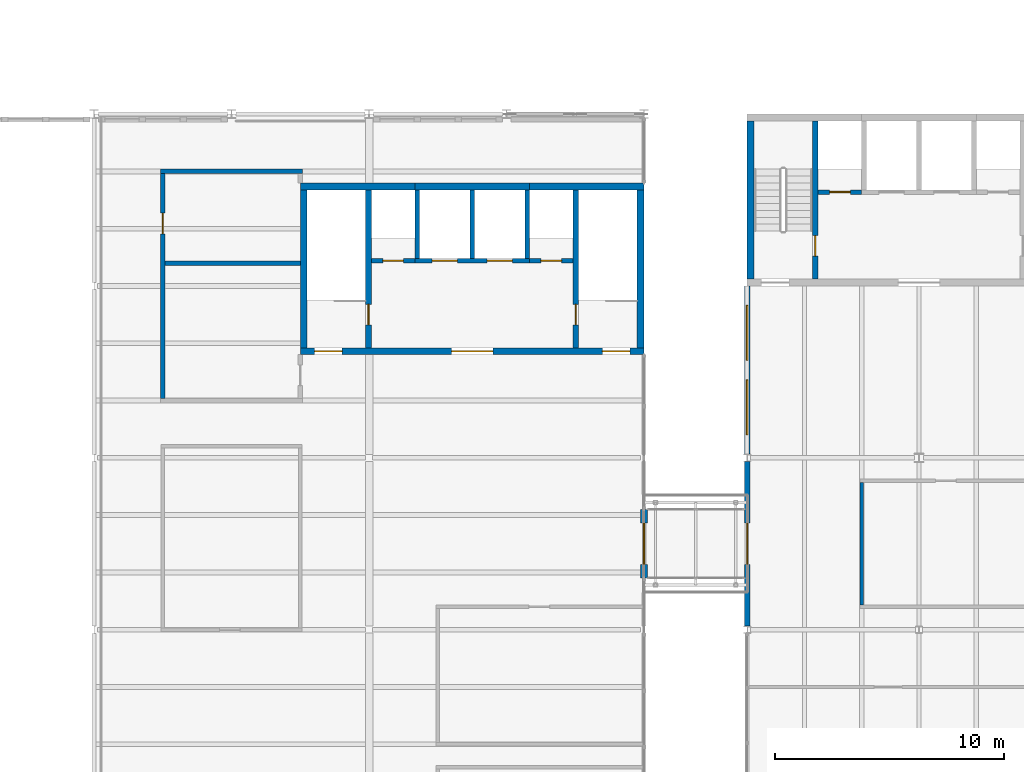
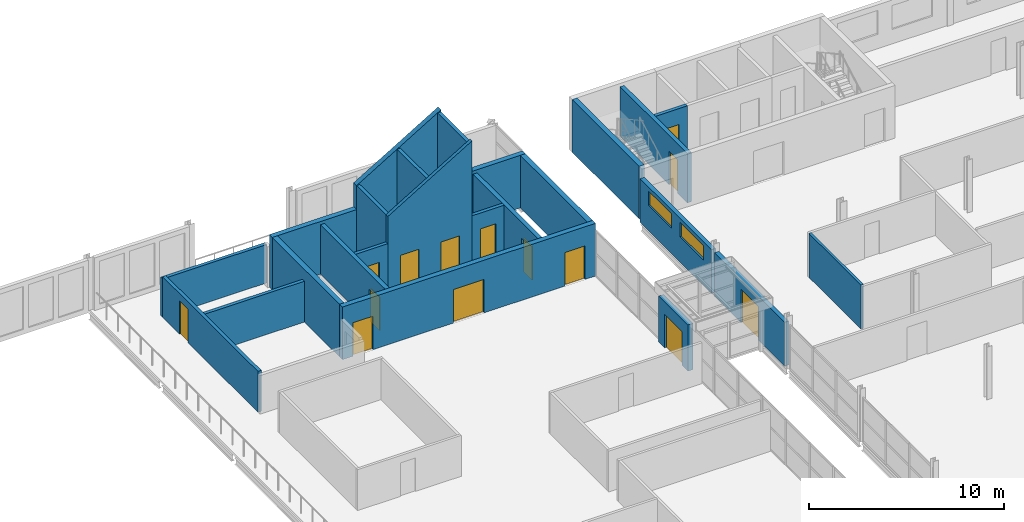
# One storey, part 65 of 214: 24 walls, 14 doors, 2 windows, 16 openings.
"""IFC4 building model written with IfcOpenShell, lengths in metres."""

from ifc_helpers import new_model, si_unit, direction, frame, frame_2d, origin, place, context, subcontext, project, spatial, polyline, rectangle, outline, extrude, material, layer, layer_set, type_object, element, fill, save


model = new_model("IFC4")

# Units and contexts
model_context = context("Model", 3, precision=1e-05, world=origin(), true_north=direction((0.0, 1.0)))
body_context = subcontext(model_context, "Body", "Model", "MODEL_VIEW")
ifc_project = project(units=[si_unit("LENGTHUNIT", "METRE"), si_unit("AREAUNIT", "SQUARE_METRE"), si_unit("VOLUMEUNIT", "CUBIC_METRE"), si_unit("PLANEANGLEUNIT", "RADIAN"), si_unit("MASSUNIT", "GRAM", prefix="KILO")], contexts=[model_context])

# Site, building, storey
site_placement = place(None, origin())
site = spatial("IfcSite", under=ifc_project, at=site_placement, CompositionType="ELEMENT")
building_placement = place(site_placement, origin())
building = spatial("IfcBuilding", under=site, at=building_placement, Name="Parallax Yard Mobility Hub", CompositionType="ELEMENT")
storey_placement = place(building_placement, frame((0.0, 0.0, 3.300048828125)))
storey = spatial("IfcBuildingStorey", under=building, at=storey_placement, Name="L01", CompositionType="ELEMENT", Elevation=3.300048828125)

# Wall
ifc_material_1 = material(Name="Concrete fc' 35 MPa", Category="concrete")
ifc_layer_1 = layer(ifc_material_1, 0.300048828125)
ifc_layer_set_1 = layer_set([ifc_layer_1], Name="Concrete fc' 35 MPa core wall 300")
wall_type_1 = type_object("IfcWallType", Name="Concrete fc' 35 MPa core wall 300", PredefinedType="SHEAR", material=ifc_layer_set_1)
wall_1_placement = place(storey_placement, frame((97.64990234375, 45.300048828125, 0.0), z_axis=(0.0, 0.0, 1.0), x_axis=(0.0, 1.0, 0.0)))
element("IfcWall", 1, at=wall_1_placement, inside=storey, type_object=wall_type_1, Name="Core C6-W west-side end wall level L01", PredefinedType="SHEAR", context=body_context, shape_type="SweptSolid", body=[
    extrude(rectangle(XDim=6.89990234375, YDim=0.300048828125, at=frame_2d((3.449951171875, 0.0))), origin(), (0.0, 0.0, 1.0), 3.300048828125),
])

# Wall, openings, doors
wall_2_placement = place(storey_placement, frame((93.0, 42.14990234375, 0.0), z_axis=(0.0, 0.0, 1.0), x_axis=(-1.0, 0.0, 0.0)))
wall_2 = element("IfcWall", 2, at=wall_2_placement, inside=storey, type_object=wall_type_1, Name="Core C1 entry wall level L01", PredefinedType="SHEAR", context=body_context, shape_type="SweptSolid", body=[
    extrude(rectangle(XDim=15.0, YDim=0.300048828125, at=frame_2d((7.5, 0.0))), origin(), (0.0, 0.0, 1.0), 3.300048828125),
])
opening_1_placement = place(wall_2_placement, frame((13.179931640625, 0.0, 0.0)))
opening_1 = element("IfcOpeningElement", 3, at=opening_1_placement, cuts=wall_2, Name="Opening L01-D760", PredefinedType="OPENING", context=body_context, shape_type="SweptSolid", body=[
    extrude(rectangle(XDim=1.199951171875, YDim=2.10009765625, at=frame_2d((0.60009765625, 1.050048828125))), frame((0.0, 0.16015625, 0.0), z_axis=(0.0, -1.0, 0.0), x_axis=(1.0, 0.0, 0.0)), (0.0, 0.0, 1.0), 0.320068359375),
])
opening_2_placement = place(wall_2_placement, frame((0.6201171875, 0.0, 0.0)))
opening_2 = element("IfcOpeningElement", 4, at=opening_2_placement, cuts=wall_2, Name="Opening L01-D761", PredefinedType="OPENING", context=body_context, shape_type="SweptSolid", body=[
    extrude(rectangle(XDim=1.199951171875, YDim=2.10009765625, at=frame_2d((0.60009765625, 1.050048828125))), frame((0.0, 0.16015625, 0.0), z_axis=(0.0, -1.0, 0.0), x_axis=(1.0, 0.0, 0.0)), (0.0, 0.0, 1.0), 0.320068359375),
])
opening_3_placement = place(wall_2_placement, frame((6.60009765625, 0.0, 0.0)))
opening_3 = element("IfcOpeningElement", 5, at=opening_3_placement, cuts=wall_2, Name="Opening L01-D762", PredefinedType="OPENING", context=body_context, shape_type="SweptSolid", body=[
    extrude(rectangle(XDim=1.800048828125, YDim=2.10009765625, at=frame_2d((0.89990234375, 1.050048828125))), frame((0.0, 0.16015625, 0.0), z_axis=(0.0, -1.0, 0.0), x_axis=(1.0, 0.0, 0.0)), (0.0, 0.0, 1.0), 0.320068359375),
])
ifc_material_2 = material(Name="Hollow metal steel door and frame", Category="steel")
door_type_1 = type_object("IfcDoorType", Name="Core door 1200 x 2100 FD90", OperationType="NOTDEFINED", PredefinedType="DOOR", material=ifc_material_2)
door_1_placement = place(opening_1_placement, origin())
door_1 = element("IfcDoor", 6, at=door_1_placement, inside=storey, type_object=door_type_1, Name="Stair deck door L01-D760, core C1 level L01", OperationType="SINGLE_SWING_RIGHT", OverallHeight=2.10009765625, OverallWidth=1.199951171875, PredefinedType="DOOR", context=body_context, shape_type="SweptSolid", body=[
    extrude(rectangle(XDim=1.199951171875, YDim=2.10009765625, at=frame_2d((0.60009765625, 1.050048828125))), frame((0.0, 0.02490234375, 0.0), z_axis=(0.0, -1.0, 0.0), x_axis=(1.0, 0.0, 0.0)), (0.0, 0.0, 1.0), 0.050048828125),
])
fill(opening_1, door_1)
door_2_placement = place(opening_2_placement, origin())
door_2 = element("IfcDoor", 7, at=door_2_placement, inside=storey, type_object=door_type_1, Name="Stair deck door L01-D761, core C1 level L01", OperationType="SINGLE_SWING_LEFT", OverallHeight=2.10009765625, OverallWidth=1.199951171875, PredefinedType="DOOR", context=body_context, shape_type="SweptSolid", body=[
    extrude(rectangle(XDim=1.199951171875, YDim=2.10009765625, at=frame_2d((0.60009765625, 1.050048828125))), frame((0.0, 0.02490234375, 0.0), z_axis=(0.0, -1.0, 0.0), x_axis=(1.0, 0.0, 0.0)), (0.0, 0.0, 1.0), 0.050048828125),
])
fill(opening_2, door_2)
door_type_2 = type_object("IfcDoorType", Name="Core double door 1800 x 2100 FD90", OperationType="NOTDEFINED", PredefinedType="DOOR", material=ifc_material_2)
door_3_placement = place(opening_3_placement, origin())
door_3 = element("IfcDoor", 8, at=door_3_placement, inside=storey, type_object=door_type_2, Name="Lift lobby door L01-D762, core C1 level L01", OperationType="DOUBLE_DOOR_SINGLE_SWING", OverallHeight=2.10009765625, OverallWidth=1.800048828125, PredefinedType="DOOR", context=body_context, shape_type="SweptSolid", body=[
    extrude(rectangle(XDim=1.800048828125, YDim=2.10009765625, at=frame_2d((0.89990234375, 1.050048828125))), frame((0.0, 0.02490234375, 0.0), z_axis=(0.0, -1.0, 0.0), x_axis=(1.0, 0.0, 0.0)), (0.0, 0.0, 1.0), 0.050048828125),
])
fill(opening_3, door_3)

# Walls
wall_3_placement = place(storey_placement, frame((78.0, 49.35009765625, 0.0), z_axis=(0.0, 0.0, 1.0), x_axis=(1.0, 0.0, 0.0)))
element("IfcWall", 9, at=wall_3_placement, inside=storey, type_object=wall_type_1, Name="Core C1 back wall part 1 level L01", PredefinedType="SHEAR", context=body_context, shape_type="SweptSolid", body=[
    extrude(rectangle(XDim=5.0, YDim=0.300048828125, at=frame_2d((2.5, 0.0))), origin(), (0.0, 0.0, 1.0), 3.300048828125),
])
wall_4_placement = place(storey_placement, frame((83.0, 49.35009765625, 0.0), z_axis=(0.0, 0.0, 1.0), x_axis=(1.0, 0.0, 0.0)))
element("IfcWall", 10, at=wall_4_placement, inside=storey, type_object=wall_type_1, Name="Core C1 back wall part 2 level L01", PredefinedType="SHEAR", context=body_context, shape_type="SweptSolid", body=[
    extrude(outline(polyline([(0.0, 0.0), (5.0, 0.0), (5.0, 7.800048828125), (0.0, 4.800048828125), (0.0, 0.0)])), frame((0.0, 0.14990234375, 0.0), z_axis=(0.0, -1.0, 0.0), x_axis=(1.0, 0.0, 0.0)), (0.0, 0.0, 1.0), 0.300048828125),
])
wall_5_placement = place(storey_placement, frame((88.0, 49.35009765625, 0.0), z_axis=(0.0, 0.0, 1.0), x_axis=(1.0, 0.0, 0.0)))
element("IfcWall", 11, at=wall_5_placement, inside=storey, type_object=wall_type_1, Name="Core C1 back wall part 3 level L01", PredefinedType="SHEAR", context=body_context, shape_type="SweptSolid", body=[
    extrude(rectangle(XDim=5.0, YDim=0.300048828125, at=frame_2d((2.5, 0.0))), origin(), (0.0, 0.0, 1.0), 3.300048828125),
])
for number, where, z_axis, x_axis, name in (
    (12, (78.14990234375, 42.300048828125, 0.0), (0.0, 0.0, 1.0), (0.0, 1.0, 0.0), "Core C1 west-side end wall level L01"),
    (13, (92.85009765625, 49.199951171875, 0.0), (0.0, 0.0, 1.0), (0.0, -1.0, 0.0), "Core C1 east-side end wall level L01"),
):
    element("IfcWall", number, at=place(storey_placement, frame(where, z_axis=z_axis, x_axis=x_axis)), inside=storey, type_object=wall_type_1, Name=name, PredefinedType="SHEAR", context=body_context, shape_type="SweptSolid", body=[
        extrude(outline(polyline([(0.0, 0.0), (6.89990234375, 0.0), (6.89990234375, 3.300048828125), (0.0, 3.300048828125), (0.0, 0.0)])), frame((0.0, 0.14990234375, 0.0), z_axis=(0.0, -1.0, 0.0), x_axis=(1.0, 0.0, 0.0)), (0.0, 0.0, 1.0), 0.300048828125),
    ])

# Wall, opening, door
ifc_layer_2 = layer(ifc_material_1, 0.199951171875)
ifc_layer_set_2 = layer_set([ifc_layer_2], Name="Concrete fc' 35 MPa internal core wall 200")
wall_type_2 = type_object("IfcWallType", Name="Concrete fc' 35 MPa internal core wall 200", PredefinedType="STANDARD", material=ifc_layer_set_2)
wall_6_placement = place(storey_placement, frame((102.5, 49.10009765625, 0.0), z_axis=(0.0, 0.0, 1.0), x_axis=(-1.0, 0.0, 0.0)))
wall_6 = element("IfcWall", 14, at=wall_6_placement, inside=storey, type_object=wall_type_2, Name="Core C6-W lift front 1 part 1 level L01", PredefinedType="STANDARD", context=body_context, shape_type="SweptSolid", body=[
    extrude(rectangle(XDim=1.89990234375, YDim=0.199951171875, at=frame_2d((0.949951171875, 0.0))), origin(), (0.0, 0.0, 1.0), 3.099853515625),
])
opening_4_placement = place(wall_6_placement, frame((0.5, 0.0, 0.0)))
opening_4 = element("IfcOpeningElement", 15, at=opening_4_placement, cuts=wall_6, Name="Opening L01-D740", PredefinedType="OPENING", context=body_context, shape_type="SweptSolid", body=[
    extrude(rectangle(XDim=0.89990234375, YDim=2.10009765625, at=frame_2d((0.449951171875, 1.050048828125))), frame((0.0, 0.10986328125, 0.0), z_axis=(0.0, -1.0, 0.0), x_axis=(1.0, 0.0, 0.0)), (0.0, 0.0, 1.0), 0.219970703125),
])
door_type_3 = type_object("IfcDoorType", Name="Riser door 900 x 2100 FD90", OperationType="NOTDEFINED", PredefinedType="DOOR", material=ifc_material_2)
door_4_placement = place(opening_4_placement, origin())
door_4 = element("IfcDoor", 16, at=door_4_placement, inside=storey, type_object=door_type_3, Name="Riser door L01-D740, core C6-W level L01", OperationType="SINGLE_SWING_RIGHT", OverallHeight=2.10009765625, OverallWidth=0.89990234375, PredefinedType="DOOR", context=body_context, shape_type="SweptSolid", body=[
    extrude(rectangle(XDim=0.89990234375, YDim=2.10009765625, at=frame_2d((0.449951171875, 1.050048828125))), frame((0.0, 0.02490234375, 0.0), z_axis=(0.0, -1.0, 0.0), x_axis=(1.0, 0.0, 0.0)), (0.0, 0.0, 1.0), 0.050048828125),
])
fill(opening_4, door_4)

wall_7_placement = place(storey_placement, frame((83.0, 46.10009765625, 0.0), z_axis=(0.0, 0.0, 1.0), x_axis=(-1.0, 0.0, 0.0)))
wall_7 = element("IfcWall", 17, at=wall_7_placement, inside=storey, type_object=wall_type_2, Name="Core C1 lift front 1 part 1 level L01", PredefinedType="STANDARD", context=body_context, shape_type="SweptSolid", body=[
    extrude(rectangle(XDim=1.89990234375, YDim=0.199951171875, at=frame_2d((0.949951171875, 0.0))), origin(), (0.0, 0.0, 1.0), 3.099853515625),
])
opening_5_placement = place(wall_7_placement, frame((0.5, 0.0, 0.0)))
opening_5 = element("IfcOpeningElement", 18, at=opening_5_placement, cuts=wall_7, Name="Opening L01-D767", PredefinedType="OPENING", context=body_context, shape_type="SweptSolid", body=[
    extrude(rectangle(XDim=0.89990234375, YDim=2.10009765625, at=frame_2d((0.449951171875, 1.050048828125))), frame((0.0, 0.10986328125, 0.0), z_axis=(0.0, -1.0, 0.0), x_axis=(1.0, 0.0, 0.0)), (0.0, 0.0, 1.0), 0.219970703125),
])
door_5_placement = place(opening_5_placement, origin())
door_5 = element("IfcDoor", 19, at=door_5_placement, inside=storey, type_object=door_type_3, Name="Riser door L01-D767, core C1 level L01", OperationType="SINGLE_SWING_RIGHT", OverallHeight=2.10009765625, OverallWidth=0.89990234375, PredefinedType="DOOR", context=body_context, shape_type="SweptSolid", body=[
    extrude(rectangle(XDim=0.89990234375, YDim=2.10009765625, at=frame_2d((0.449951171875, 1.050048828125))), frame((0.0, 0.02490234375, 0.0), z_axis=(0.0, -1.0, 0.0), x_axis=(1.0, 0.0, 0.0)), (0.0, 0.0, 1.0), 0.050048828125),
])
fill(opening_5, door_5)

# Wall, openings, doors
wall_8_placement = place(storey_placement, frame((83.0, 46.10009765625, 0.0), z_axis=(0.0, 0.0, 1.0), x_axis=(1.0, 0.0, 0.0)))
wall_8 = element("IfcWall", 20, at=wall_8_placement, inside=storey, type_object=wall_type_2, Name="Core C1 lift front 2 part 2 level L01", PredefinedType="STANDARD", context=body_context, shape_type="SweptSolid", body=[
    extrude(outline(polyline([(0.0, 0.0), (5.0, 0.0), (5.0, 7.800048828125), (0.0, 4.800048828125), (0.0, 0.0)])), frame((0.0, 0.10009765625, 0.0), z_axis=(0.0, -1.0, 0.0), x_axis=(1.0, 0.0, 0.0)), (0.0, 0.0, 1.0), 0.199951171875),
])
opening_6_placement = place(wall_8_placement, frame((0.75, 0.0, 0.0)))
opening_6 = element("IfcOpeningElement", 21, at=opening_6_placement, cuts=wall_8, Name="Opening L01-D765", PredefinedType="OPENING", context=body_context, shape_type="SweptSolid", body=[
    extrude(rectangle(XDim=1.10009765625, YDim=2.10009765625, at=frame_2d((0.550048828125, 1.050048828125))), frame((0.0, 0.10986328125, 0.0), z_axis=(0.0, -1.0, 0.0), x_axis=(1.0, 0.0, 0.0)), (0.0, 0.0, 1.0), 0.219970703125),
])
opening_7_placement = place(wall_8_placement, frame((3.14990234375, 0.0, 0.0)))
opening_7 = element("IfcOpeningElement", 22, at=opening_7_placement, cuts=wall_8, Name="Opening L01-D766", PredefinedType="OPENING", context=body_context, shape_type="SweptSolid", body=[
    extrude(rectangle(XDim=1.10009765625, YDim=2.10009765625, at=frame_2d((0.550048828125, 1.050048828125))), frame((0.0, 0.10986328125, 0.0), z_axis=(0.0, -1.0, 0.0), x_axis=(1.0, 0.0, 0.0)), (0.0, 0.0, 1.0), 0.219970703125),
])
ifc_material_3 = material(Name="Stainless steel sliding door and frame", Category="steel")
door_type_4 = type_object("IfcDoorType", Name="Lift landing door 1100 x 2100 FD90", OperationType="DOUBLE_DOOR_SLIDING", PredefinedType="DOOR", material=ifc_material_3)
door_6_placement = place(opening_6_placement, origin())
door_6 = element("IfcDoor", 23, at=door_6_placement, inside=storey, type_object=door_type_4, Name="Lift landing door L01-D765, core C1 level L01", OperationType="DOUBLE_DOOR_SLIDING", OverallHeight=2.10009765625, OverallWidth=1.10009765625, PredefinedType="DOOR", context=body_context, shape_type="SweptSolid", body=[
    extrude(rectangle(XDim=1.10009765625, YDim=2.10009765625, at=frame_2d((0.550048828125, 1.050048828125))), frame((0.0, 0.02490234375, 0.0), z_axis=(0.0, -1.0, 0.0), x_axis=(1.0, 0.0, 0.0)), (0.0, 0.0, 1.0), 0.050048828125),
])
fill(opening_6, door_6)
door_7_placement = place(opening_7_placement, origin())
door_7 = element("IfcDoor", 24, at=door_7_placement, inside=storey, type_object=door_type_4, Name="Lift landing door L01-D766, core C1 level L01", OperationType="DOUBLE_DOOR_SLIDING", OverallHeight=2.10009765625, OverallWidth=1.10009765625, PredefinedType="DOOR", context=body_context, shape_type="SweptSolid", body=[
    extrude(rectangle(XDim=1.10009765625, YDim=2.10009765625, at=frame_2d((0.550048828125, 1.050048828125))), frame((0.0, 0.02490234375, 0.0), z_axis=(0.0, -1.0, 0.0), x_axis=(1.0, 0.0, 0.0)), (0.0, 0.0, 1.0), 0.050048828125),
])
fill(opening_7, door_7)

# Wall, opening, door
wall_9_placement = place(storey_placement, frame((89.89990234375, 46.10009765625, 0.0), z_axis=(0.0, 0.0, 1.0), x_axis=(-1.0, 0.0, 0.0)))
wall_9 = element("IfcWall", 25, at=wall_9_placement, inside=storey, type_object=wall_type_2, Name="Core C1 lift front 3 part 3 level L01", PredefinedType="STANDARD", context=body_context, shape_type="SweptSolid", body=[
    extrude(rectangle(XDim=1.89990234375, YDim=0.199951171875, at=frame_2d((0.949951171875, 0.0))), origin(), (0.0, 0.0, 1.0), 3.099853515625),
])
opening_8_placement = place(wall_9_placement, frame((0.5, 0.0, 0.0)))
opening_8 = element("IfcOpeningElement", 26, at=opening_8_placement, cuts=wall_9, Name="Opening L01-D768", PredefinedType="OPENING", context=body_context, shape_type="SweptSolid", body=[
    extrude(rectangle(XDim=0.89990234375, YDim=2.10009765625, at=frame_2d((0.449951171875, 1.050048828125))), frame((0.0, 0.10986328125, 0.0), z_axis=(0.0, -1.0, 0.0), x_axis=(1.0, 0.0, 0.0)), (0.0, 0.0, 1.0), 0.219970703125),
])
door_8_placement = place(opening_8_placement, origin())
door_8 = element("IfcDoor", 27, at=door_8_placement, inside=storey, type_object=door_type_3, Name="Riser door L01-D768, core C1 level L01", OperationType="SINGLE_SWING_LEFT", OverallHeight=2.10009765625, OverallWidth=0.89990234375, PredefinedType="DOOR", context=body_context, shape_type="SweptSolid", body=[
    extrude(rectangle(XDim=0.89990234375, YDim=2.10009765625, at=frame_2d((0.449951171875, 1.050048828125))), frame((0.0, 0.02490234375, 0.0), z_axis=(0.0, -1.0, 0.0), x_axis=(1.0, 0.0, 0.0)), (0.0, 0.0, 1.0), 0.050048828125),
])
fill(opening_8, door_8)

# Walls
wall_10_placement = place(storey_placement, frame((83.10009765625, 46.199951171875, 0.0), z_axis=(0.0, 0.0, 1.0), x_axis=(0.0, 1.0, 0.0)))
element("IfcWall", 28, at=wall_10_placement, inside=storey, type_object=wall_type_2, Name="Core C1 lift wall 1 part 1 level L01", PredefinedType="STANDARD", context=body_context, shape_type="SweptSolid", body=[
    extrude(rectangle(XDim=3.0, YDim=0.199951171875, at=frame_2d((1.5, 0.0))), origin(), (0.0, 0.0, 1.0), 4.800048828125),
])
wall_11_placement = place(storey_placement, frame((85.5, 46.199951171875, 0.0), z_axis=(0.0, 0.0, 1.0), x_axis=(0.0, 1.0, 0.0)))
element("IfcWall", 29, at=wall_11_placement, inside=storey, type_object=wall_type_2, Name="Core C1 lift wall 2 part 2 level L01", PredefinedType="STANDARD", context=body_context, shape_type="SweptSolid", body=[
    extrude(rectangle(XDim=3.0, YDim=0.199951171875, at=frame_2d((1.5, 0.0))), origin(), (0.0, 0.0, 1.0), 6.239990234375),
])
wall_12_placement = place(storey_placement, frame((87.89990234375, 46.199951171875, 0.0), z_axis=(0.0, 0.0, 1.0), x_axis=(0.0, 1.0, 0.0)))
element("IfcWall", 30, at=wall_12_placement, inside=storey, type_object=wall_type_2, Name="Core C1 lift wall 3 part 3 level L01", PredefinedType="STANDARD", context=body_context, shape_type="SweptSolid", body=[
    extrude(rectangle(XDim=3.0, YDim=0.199951171875, at=frame_2d((1.5, 0.0))), origin(), (0.0, 0.0, 1.0), 7.679931640625),
])

# Wall, opening, door
ifc_layer_3 = layer(ifc_material_1, 0.25)
ifc_layer_set_3 = layer_set([ifc_layer_3], Name="Concrete fc' 35 MPa stair enclosure wall 250")
wall_type_3 = type_object("IfcWallType", Name="Concrete fc' 35 MPa stair enclosure wall 250", PredefinedType="STANDARD", material=ifc_layer_set_3)
wall_13_placement = place(storey_placement, frame((100.47509765625, 45.300048828125, 0.0), z_axis=(0.0, 0.0, 1.0), x_axis=(0.0, 1.0, 0.0)))
wall_13 = element("IfcWall", 31, at=wall_13_placement, inside=storey, type_object=wall_type_3, Name="Core C6-W stair 1 partition level L01", PredefinedType="STANDARD", context=body_context, shape_type="SweptSolid", body=[
    extrude(rectangle(XDim=6.89990234375, YDim=0.25, at=frame_2d((3.449951171875, 0.0))), origin(), (0.0, 0.0, 1.0), 3.099853515625),
])
opening_9_placement = place(wall_13_placement, frame((1.0, 0.0, 0.0)))
opening_9 = element("IfcOpeningElement", 32, at=opening_9_placement, cuts=wall_13, Name="Opening L01-D736", PredefinedType="OPENING", context=body_context, shape_type="SweptSolid", body=[
    extrude(rectangle(XDim=0.89990234375, YDim=2.10009765625, at=frame_2d((0.449951171875, 1.050048828125))), frame((0.0, 0.135009765625, 0.0), z_axis=(0.0, -1.0, 0.0), x_axis=(1.0, 0.0, 0.0)), (0.0, 0.0, 1.0), 0.27001953125),
])
door_type_5 = type_object("IfcDoorType", Name="Core door 900 x 2100 FD90", OperationType="NOTDEFINED", PredefinedType="DOOR", material=ifc_material_2)
door_9_placement = place(opening_9_placement, origin())
door_9 = element("IfcDoor", 33, at=door_9_placement, inside=storey, type_object=door_type_5, Name="Stair lobby door L01-D736, core C6-W level L01", OperationType="SINGLE_SWING_LEFT", OverallHeight=2.10009765625, OverallWidth=0.89990234375, PredefinedType="DOOR", context=body_context, shape_type="SweptSolid", body=[
    extrude(rectangle(XDim=0.89990234375, YDim=2.10009765625, at=frame_2d((0.449951171875, 1.050048828125))), frame((0.0, 0.02490234375, 0.0), z_axis=(0.0, -1.0, 0.0), x_axis=(1.0, 0.0, 0.0)), (0.0, 0.0, 1.0), 0.050048828125),
])
fill(opening_9, door_9)

wall_14_placement = place(storey_placement, frame((80.97509765625, 42.300048828125, 0.0), z_axis=(0.0, 0.0, 1.0), x_axis=(0.0, 1.0, 0.0)))
wall_14 = element("IfcWall", 34, at=wall_14_placement, inside=storey, type_object=wall_type_3, Name="Core C1 stair 1 partition level L01", PredefinedType="STANDARD", context=body_context, shape_type="SweptSolid", body=[
    extrude(outline(polyline([(0.0, 0.0), (6.89990234375, 0.0), (6.89990234375, 3.099853515625), (0.0, 3.099853515625), (0.0, 0.0)])), frame((0.0, 0.125, 0.0), z_axis=(0.0, -1.0, 0.0), x_axis=(1.0, 0.0, 0.0)), (0.0, 0.0, 1.0), 0.25),
])
opening_10_placement = place(wall_14_placement, frame((1.0, 0.0, 0.0)))
opening_10 = element("IfcOpeningElement", 35, at=opening_10_placement, cuts=wall_14, Name="Opening L01-D763", PredefinedType="OPENING", context=body_context, shape_type="SweptSolid", body=[
    extrude(rectangle(XDim=0.89990234375, YDim=2.10009765625, at=frame_2d((0.449951171875, 1.050048828125))), frame((0.0, 0.135009765625, 0.0), z_axis=(0.0, -1.0, 0.0), x_axis=(1.0, 0.0, 0.0)), (0.0, 0.0, 1.0), 0.27001953125),
])
door_10_placement = place(opening_10_placement, origin())
door_10 = element("IfcDoor", 36, at=door_10_placement, inside=storey, type_object=door_type_5, Name="Stair lobby door L01-D763, core C1 level L01", OperationType="SINGLE_SWING_LEFT", OverallHeight=2.10009765625, OverallWidth=0.89990234375, PredefinedType="DOOR", context=body_context, shape_type="SweptSolid", body=[
    extrude(rectangle(XDim=0.89990234375, YDim=2.10009765625, at=frame_2d((0.449951171875, 1.050048828125))), frame((0.0, 0.02490234375, 0.0), z_axis=(0.0, -1.0, 0.0), x_axis=(1.0, 0.0, 0.0)), (0.0, 0.0, 1.0), 0.050048828125),
])
fill(opening_10, door_10)

wall_15_placement = place(storey_placement, frame((90.02490234375, 49.199951171875, 0.0), z_axis=(0.0, 0.0, 1.0), x_axis=(0.0, -1.0, 0.0)))
wall_15 = element("IfcWall", 37, at=wall_15_placement, inside=storey, type_object=wall_type_3, Name="Core C1 stair 2 partition level L01", PredefinedType="STANDARD", context=body_context, shape_type="SweptSolid", body=[
    extrude(outline(polyline([(0.0, 0.0), (6.89990234375, 0.0), (6.89990234375, 3.099853515625), (0.0, 3.099853515625), (0.0, 0.0)])), frame((0.0, 0.125, 0.0), z_axis=(0.0, -1.0, 0.0), x_axis=(1.0, 0.0, 0.0)), (0.0, 0.0, 1.0), 0.25),
])
opening_11_placement = place(wall_15_placement, frame((5.0, 0.0, 0.0)))
opening_11 = element("IfcOpeningElement", 38, at=opening_11_placement, cuts=wall_15, Name="Opening L01-D764", PredefinedType="OPENING", context=body_context, shape_type="SweptSolid", body=[
    extrude(rectangle(XDim=0.89990234375, YDim=2.10009765625, at=frame_2d((0.449951171875, 1.050048828125))), frame((0.0, 0.135009765625, 0.0), z_axis=(0.0, -1.0, 0.0), x_axis=(1.0, 0.0, 0.0)), (0.0, 0.0, 1.0), 0.27001953125),
])
door_11_placement = place(opening_11_placement, origin())
door_11 = element("IfcDoor", 39, at=door_11_placement, inside=storey, type_object=door_type_5, Name="Stair lobby door L01-D764, core C1 level L01", OperationType="SINGLE_SWING_RIGHT", OverallHeight=2.10009765625, OverallWidth=0.89990234375, PredefinedType="DOOR", context=body_context, shape_type="SweptSolid", body=[
    extrude(rectangle(XDim=0.89990234375, YDim=2.10009765625, at=frame_2d((0.449951171875, 1.050048828125))), frame((0.0, 0.02490234375, 0.0), z_axis=(0.0, -1.0, 0.0), x_axis=(1.0, 0.0, 0.0)), (0.0, 0.0, 1.0), 0.050048828125),
])
fill(opening_11, door_11)

ifc_layer_4 = layer(ifc_material_1, 0.25)
ifc_layer_set_4 = layer_set([ifc_layer_4], Name="Exterior wall, Concrete fc' 35 MPa precast, 250 with insulation lining")
wall_type_4 = type_object("IfcWallType", Name="Exterior wall, Concrete fc' 35 MPa precast, 250 with insulation lining", PredefinedType="SOLIDWALL", material=ifc_layer_set_4)
wall_16_placement = place(storey_placement, frame((97.5, 30.153564453125, 0.0), z_axis=(0.0, 0.0, 1.0), x_axis=(0.0, 1.0, 0.0)))
wall_16 = element("IfcWall", 40, at=wall_16_placement, inside=storey, type_object=wall_type_4, Name="Mobility service centre and workshops west wall bay 4 level L01", PredefinedType="SOLIDWALL", context=body_context, shape_type="SweptSolid", body=[
    extrude(rectangle(XDim=7.1875, YDim=0.25, at=frame_2d((3.59375, 0.0))), origin(), (0.0, 0.0, 1.0), 2.7509765625),
])
opening_12_placement = place(wall_16_placement, frame((2.696533203125, 0.0, 0.0)))
opening_12 = element("IfcOpeningElement", 41, at=opening_12_placement, cuts=wall_16, Name="Opening L01-D103", PredefinedType="OPENING", context=body_context, shape_type="SweptSolid", body=[
    extrude(rectangle(XDim=1.800048828125, YDim=2.10009765625, at=frame_2d((0.89990234375, 1.050048828125))), frame((0.0, 0.135009765625, 0.0), z_axis=(0.0, -1.0, 0.0), x_axis=(1.0, 0.0, 0.0)), (0.0, 0.0, 1.0), 0.27001953125),
])
ifc_material_4 = material(Name="Aluminium frame with laminated glass leaves", Category="aluminium")
door_type_6 = type_object("IfcDoorType", Name="Bridge door double 1800 x 2100", OperationType="DOUBLE_DOOR_SINGLE_SWING", PredefinedType="DOOR", material=ifc_material_4)
door_12_placement = place(opening_12_placement, origin())
door_12 = element("IfcDoor", 42, at=door_12_placement, inside=storey, type_object=door_type_6, Name="Bridge door L01-D103", OperationType="DOUBLE_DOOR_SINGLE_SWING", OverallHeight=2.10009765625, OverallWidth=1.800048828125, PredefinedType="DOOR", context=body_context, shape_type="SweptSolid", body=[
    extrude(rectangle(XDim=1.800048828125, YDim=2.10009765625, at=frame_2d((0.89990234375, 1.050048828125))), frame((0.0, 0.02490234375, 0.0), z_axis=(0.0, -1.0, 0.0), x_axis=(1.0, 0.0, 0.0)), (0.0, 0.0, 1.0), 0.050048828125),
])
fill(opening_12, door_12)

# Wall, openings, windows
wall_17_placement = place(storey_placement, frame((97.5, 37.658935546875, 0.0), z_axis=(0.0, 0.0, 1.0), x_axis=(0.0, 1.0, 0.0)))
wall_17 = element("IfcWall", 43, at=wall_17_placement, inside=storey, type_object=wall_type_4, Name="Mobility service centre and workshops west wall bay 5 level L01", PredefinedType="SOLIDWALL", context=body_context, shape_type="SweptSolid", body=[
    extrude(rectangle(XDim=7.341064453125, YDim=0.25, at=frame_2d((3.67041015625, 0.0))), origin(), (0.0, 0.0, 1.0), 2.7509765625),
])
opening_13_placement = place(wall_17_placement, frame((0.846923828125, 0.0, 1.60009765625)))
opening_13 = element("IfcOpeningElement", 44, at=opening_13_placement, cuts=wall_17, Name="Opening W4", PredefinedType="OPENING", context=body_context, shape_type="SweptSolid", body=[
    extrude(rectangle(XDim=2.39990234375, YDim=0.89990234375, at=frame_2d((1.199951171875, 0.449951171875))), frame((0.0, 0.135009765625, 0.0), z_axis=(0.0, -1.0, 0.0), x_axis=(1.0, 0.0, 0.0)), (0.0, 0.0, 1.0), 0.27001953125),
])
opening_14_placement = place(wall_17_placement, frame((4.093994140625, 0.0, 1.60009765625)))
opening_14 = element("IfcOpeningElement", 45, at=opening_14_placement, cuts=wall_17, Name="Opening W4", PredefinedType="OPENING", context=body_context, shape_type="SweptSolid", body=[
    extrude(rectangle(XDim=2.39990234375, YDim=0.89990234375, at=frame_2d((1.199951171875, 0.449951171875))), frame((0.0, 0.135009765625, 0.0), z_axis=(0.0, -1.0, 0.0), x_axis=(1.0, 0.0, 0.0)), (0.0, 0.0, 1.0), 0.27001953125),
])
ifc_material_5 = material(Name="Double glazed low-E unit in thermally broken aluminium frame", Category="aluminium")
window_type = type_object("IfcWindowType", Name="Workshop high-level window 2400 x 900", PartitioningType="DOUBLE_PANEL_VERTICAL", PredefinedType="WINDOW", material=ifc_material_5)
window_1_placement = place(opening_13_placement, origin())
window_1 = element("IfcWindow", 46, at=window_1_placement, inside=storey, type_object=window_type, Name="Window W4 level L01", OverallHeight=0.89990234375, OverallWidth=2.39990234375, PartitioningType="DOUBLE_PANEL_VERTICAL", PredefinedType="WINDOW", context=body_context, shape_type="SweptSolid", body=[
    extrude(rectangle(XDim=2.39990234375, YDim=0.89990234375, at=frame_2d((1.199951171875, 0.449951171875))), frame((0.0, 0.030029296875, 0.0), z_axis=(0.0, -1.0, 0.0), x_axis=(1.0, 0.0, 0.0)), (0.0, 0.0, 1.0), 0.06005859375),
])
fill(opening_13, window_1)
window_2_placement = place(opening_14_placement, origin())
window_2 = element("IfcWindow", 47, at=window_2_placement, inside=storey, type_object=window_type, Name="Window W4 level L01", OverallHeight=0.89990234375, OverallWidth=2.39990234375, PartitioningType="DOUBLE_PANEL_VERTICAL", PredefinedType="WINDOW", context=body_context, shape_type="SweptSolid", body=[
    extrude(rectangle(XDim=2.39990234375, YDim=0.89990234375, at=frame_2d((1.199951171875, 0.449951171875))), frame((0.0, 0.030029296875, 0.0), z_axis=(0.0, -1.0, 0.0), x_axis=(1.0, 0.0, 0.0)), (0.0, 0.0, 1.0), 0.06005859375),
])
fill(opening_14, window_2)

# Walls
ifc_material_6 = material(Name="Fire-rated plasterboard partition, two layers each side")
ifc_layer_5 = layer(ifc_material_6, 0.199951171875)
ifc_layer_set_5 = layer_set([ifc_layer_5], Name="Fire-rated partition 200 mm")
wall_type_5 = type_object("IfcWallType", Name="Fire-rated partition 200 mm", PredefinedType="PARTITIONING", material=ifc_layer_set_5)
wall_18_placement = place(storey_placement, frame((72.10009765625, 46.0, 0.0), z_axis=(0.0, 0.0, 1.0), x_axis=(1.0, 0.0, 0.0)))
element("IfcWall", 48, at=wall_18_placement, inside=storey, type_object=wall_type_5, Name="Partition 27 level L01", PredefinedType="PARTITIONING", context=body_context, shape_type="SweptSolid", body=[
    extrude(rectangle(XDim=5.89990234375, YDim=0.199951171875, at=frame_2d((2.949951171875, 0.0))), origin(), (0.0, 0.0, 1.0), 2.56005859375),
])
wall_19_placement = place(storey_placement, frame((71.89990234375, 50.0, 0.0), z_axis=(0.0, 0.0, 1.0), x_axis=(1.0, 0.0, 0.0)))
element("IfcWall", 49, at=wall_19_placement, inside=storey, type_object=wall_type_5, Name="Partition 31 level L01", PredefinedType="PARTITIONING", context=body_context, shape_type="SweptSolid", body=[
    extrude(rectangle(XDim=6.2001953125, YDim=0.199951171875, at=frame_2d((3.10009765625, 0.0))), origin(), (0.0, 0.0, 1.0), 2.409912109375),
])

# Wall, opening, door
wall_20_placement = place(storey_placement, frame((72.0, 40.10009765625, 0.0), z_axis=(0.0, 0.0, 1.0), x_axis=(0.0, 1.0, 0.0)))
wall_20 = element("IfcWall", 50, at=wall_20_placement, inside=storey, type_object=wall_type_5, Name="Partition 46 level L01", PredefinedType="PARTITIONING", context=body_context, shape_type="SweptSolid", body=[
    extrude(rectangle(XDim=9.7998046875, YDim=0.199951171875, at=frame_2d((4.89990234375, 0.0))), origin(), (0.0, 0.0, 1.0), 2.56005859375),
])
opening_15_placement = place(wall_20_placement, frame((7.17529296875, 0.0, 0.0)))
opening_15 = element("IfcOpeningElement", 51, at=opening_15_placement, cuts=wall_20, Name="Opening L01-D221", PredefinedType="OPENING", context=body_context, shape_type="SweptSolid", body=[
    extrude(rectangle(XDim=0.89990234375, YDim=2.10009765625, at=frame_2d((0.449951171875, 1.050048828125))), frame((0.0, 0.10986328125, 0.0), z_axis=(0.0, -1.0, 0.0), x_axis=(1.0, 0.0, 0.0)), (0.0, 0.0, 1.0), 0.219970703125),
])
ifc_material_7 = material(Name="Hollow metal fire door leaf with intumescent seals")
door_type_7 = type_object("IfcDoorType", Name="Fire door 900 mm FD60", OperationType="NOTDEFINED", PredefinedType="DOOR", material=ifc_material_7)
door_13_placement = place(opening_15_placement, origin())
door_13 = element("IfcDoor", 52, at=door_13_placement, inside=storey, type_object=door_type_7, Name="Door L01-D221 Men's WC", OperationType="SINGLE_SWING_RIGHT", OverallHeight=2.10009765625, OverallWidth=0.89990234375, PredefinedType="DOOR", context=body_context, shape_type="SweptSolid", body=[
    extrude(rectangle(XDim=0.89990234375, YDim=2.10009765625, at=frame_2d((0.449951171875, 1.050048828125))), frame((0.0, 0.02490234375, 0.0), z_axis=(0.0, -1.0, 0.0), x_axis=(1.0, 0.0, 0.0)), (0.0, 0.0, 1.0), 0.050048828125),
])
fill(opening_15, door_13)

# Wall
ifc_material_8 = material(Name="Plasterboard partition on light framing")
ifc_layer_6 = layer(ifc_material_8, 0.14990234375)
ifc_layer_set_6 = layer_set([ifc_layer_6], Name="Partition 150 mm")
wall_type_6 = type_object("IfcWallType", Name="Partition 150 mm", PredefinedType="PARTITIONING", material=ifc_layer_set_6)
wall_21_placement = place(storey_placement, frame((102.5, 31.074951171875, 0.0), z_axis=(0.0, 0.0, 1.0), x_axis=(0.0, 1.0, 0.0)))
element("IfcWall", 53, at=wall_21_placement, inside=storey, type_object=wall_type_6, Name="Partition 56 level L01", PredefinedType="PARTITIONING", context=body_context, shape_type="SweptSolid", body=[
    extrude(rectangle(XDim=5.35009765625, YDim=0.14990234375, at=frame_2d((2.675048828125, 0.0))), origin(), (0.0, 0.0, 1.0), 2.75390625),
])

# Wall, opening, door
ifc_layer_7 = layer(ifc_material_1, 0.300048828125)
ifc_layer_set_7 = layer_set([ifc_layer_7], Name="Portal end wall, Concrete fc' 35 MPa precast, 300")
wall_type_7 = type_object("IfcWallType", Name="Portal end wall, Concrete fc' 35 MPa precast, 300", PredefinedType="SOLIDWALL", material=ifc_layer_set_7)
wall_22_placement = place(storey_placement, frame((93.0, 32.25, 0.0), z_axis=(0.0, 0.0, 1.0), x_axis=(0.0, 1.0, 0.0)))
wall_22 = element("IfcWall", 54, at=wall_22_placement, inside=storey, type_object=wall_type_7, Name="Bus and taxi deck east end door pier bay 1 level L01", PredefinedType="SOLIDWALL", context=body_context, shape_type="SweptSolid", body=[
    extrude(rectangle(XDim=3.0, YDim=0.300048828125, at=frame_2d((1.5, 0.0))), origin(), (0.0, 0.0, 1.0), 2.89404296875),
])
opening_16_placement = place(wall_22_placement, frame((0.60009765625, 0.0, 0.0)))
opening_16 = element("IfcOpeningElement", 55, at=opening_16_placement, cuts=wall_22, Name="Opening L01-D101", PredefinedType="OPENING", context=body_context, shape_type="SweptSolid", body=[
    extrude(rectangle(XDim=1.800048828125, YDim=2.10009765625, at=frame_2d((0.89990234375, 1.050048828125))), frame((0.0, 0.16015625, 0.0), z_axis=(0.0, -1.0, 0.0), x_axis=(1.0, 0.0, 0.0)), (0.0, 0.0, 1.0), 0.320068359375),
])
door_14_placement = place(opening_16_placement, origin())
door_14 = element("IfcDoor", 56, at=door_14_placement, inside=storey, type_object=door_type_6, Name="Bridge door L01-D101", OperationType="DOUBLE_DOOR_SINGLE_SWING", OverallHeight=2.10009765625, OverallWidth=1.800048828125, PredefinedType="DOOR", context=body_context, shape_type="SweptSolid", body=[
    extrude(rectangle(XDim=1.800048828125, YDim=2.10009765625, at=frame_2d((0.89990234375, 1.050048828125))), frame((0.0, 0.02490234375, 0.0), z_axis=(0.0, -1.0, 0.0), x_axis=(1.0, 0.0, 0.0)), (0.0, 0.0, 1.0), 0.050048828125),
])
fill(opening_16, door_14)

save(model, "model.ifc")
